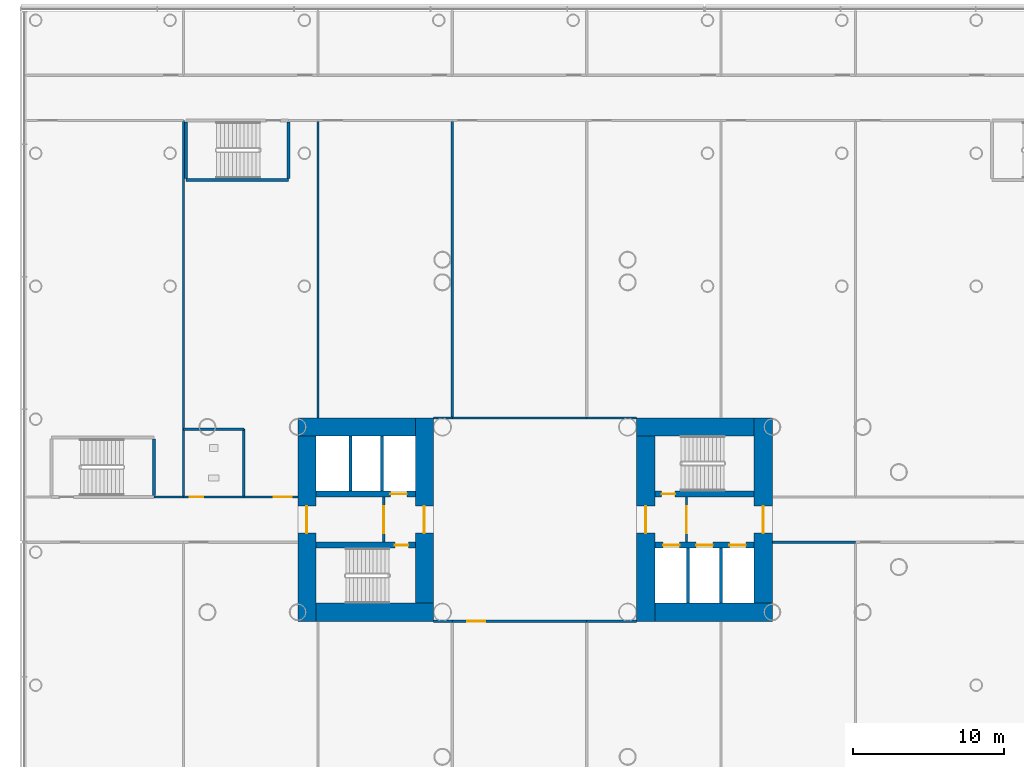
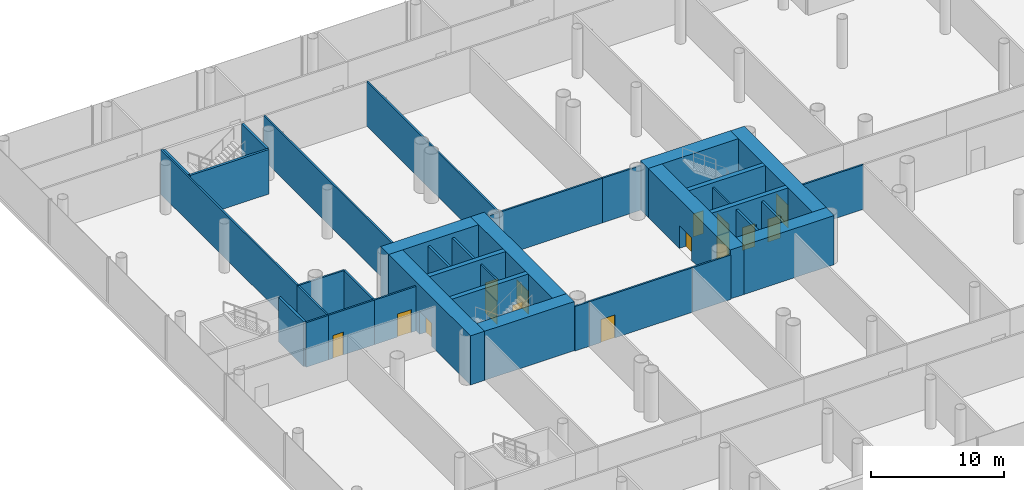
# One storey, part 18 of 49: 38 walls, 15 doors, 15 openings.
"""IFC4 building model written with IfcOpenShell, lengths in metres."""

import ifcopenshell
import ifcopenshell.guid

model = None  # the IFC model being written
_history = None  # IfcOwnerHistory: only IFC2X3 demands one
_inside = {}  # id of a spatial element -> (the spatial element, [elements in it])
_under = {}  # id of a project, library or spatial element -> (it, [spatial elements below it])
_declared = {}  # id of a project -> (the project, [libraries it declares])
_typed = {}  # id of a type object -> (the type object, [elements of that type])
_made_of = {}  # id of a material, layer set ... -> (it, [elements and type objects made of it])


def new_model(schema):
    """Start an empty IFC model of exactly this schema.

    Asked for "IFC4X3", IfcOpenShell would pick the latest addendum, in which some entities
    have other attributes; the version numbers below select the first issue.
    IFC2X3 requires an IfcOwnerHistory on every rooted entity: one is made here for all.
    """
    global model, _history
    if schema == "IFC4X3":
        model = ifcopenshell.file(schema_version=(4, 3, 0, 0))
    else:
        model = ifcopenshell.file(schema=schema)
    _inside.clear()
    _under.clear()
    _declared.clear()
    _typed.clear()
    _made_of.clear()
    _history = None
    if model.schema == "IFC2X3":
        org = make("IfcOrganization", Name="unknown")
        user = make(
            "IfcPersonAndOrganization",
            ThePerson=make("IfcPerson", FamilyName="unknown"),
            TheOrganization=org,
        )
        app = make(
            "IfcApplication",
            ApplicationDeveloper=org,
            Version="unknown",
            ApplicationFullName="unknown",
            ApplicationIdentifier="unknown",
        )
        _history = make(
            "IfcOwnerHistory",
            OwningUser=user,
            OwningApplication=app,
            ChangeAction="ADDED",
            CreationDate=0,
        )
    return model


def make(cls, **values):
    """One entity of the class cls with the attributes given. An attribute that is None is left unset."""
    return model.create_entity(
        cls, **{name: value for name, value in values.items() if value is not None}
    )


def rooted(cls, **values):
    """An entity with a GlobalId (a new one), such as an element, a storey or a relation."""
    return make(cls, GlobalId=ifcopenshell.guid.new(), OwnerHistory=_history, **values)


def si_unit(unit_type, name, prefix=None):
    """IfcSIUnit, for example si_unit("LENGTHUNIT", "METRE", prefix="MILLI")."""
    return make("IfcSIUnit", UnitType=unit_type, Prefix=prefix, Name=name)


def assignment(units):
    """IfcUnitAssignment: the units of a project."""
    return None if units is None else make("IfcUnitAssignment", Units=units)


def point(xyz):
    """IfcCartesianPoint."""
    return None if xyz is None else make("IfcCartesianPoint", Coordinates=xyz)


def direction(xyz):
    """IfcDirection."""
    return None if xyz is None else make("IfcDirection", DirectionRatios=xyz)


def frame(location, z_axis=None, x_axis=None):
    """IfcAxis2Placement3D, a coordinate frame: its origin and axes. An axis left out is left unset."""
    return make(
        "IfcAxis2Placement3D",
        Location=point(location),
        Axis=direction(z_axis),
        RefDirection=direction(x_axis),
    )


def frame_2d(location, x_axis=None):
    """IfcAxis2Placement2D, a coordinate frame in the plane: its origin and x axis."""
    return make(
        "IfcAxis2Placement2D", Location=point(location), RefDirection=direction(x_axis)
    )


def origin():
    """The frame at (0, 0, 0) with its axes left unset."""
    return frame((0.0, 0.0, 0.0))


def place(relative_to, where):
    """IfcLocalPlacement: puts the frame where relative to a parent placement (None: the world)."""
    return make(
        "IfcLocalPlacement", PlacementRelTo=relative_to, RelativePlacement=where
    )


def context(
    kind, dimensions, precision=None, world=None, true_north=None, identifier=None
):
    """IfcGeometricRepresentationContext, for example the 3D "Model" context."""
    return make(
        "IfcGeometricRepresentationContext",
        ContextIdentifier=identifier,
        ContextType=kind,
        CoordinateSpaceDimension=dimensions,
        Precision=precision,
        WorldCoordinateSystem=world,
        TrueNorth=true_north,
    )


def subcontext(parent, identifier, kind, view, scale=None):
    """IfcGeometricRepresentationSubContext, for example "Body" below "Model"."""
    return make(
        "IfcGeometricRepresentationSubContext",
        ContextIdentifier=identifier,
        ContextType=kind,
        ParentContext=parent,
        TargetScale=scale,
        TargetView=view,
    )


def project(units=None, contexts=None):
    """IfcProject with its units and contexts."""
    return rooted(
        "IfcProject",
        Name="project",
        RepresentationContexts=contexts,
        UnitsInContext=assignment(units),
    )


def spatial(cls, under=None, at=None, **own):
    """A site, building, storey or space (cls), placed at a placement, below another one or the project."""
    s = rooted(cls, ObjectPlacement=at, **own)
    if under is not None:
        _under.setdefault(under.id(), (under, []))[1].append(s)
    return s


def profile(cls, at=None, kind="AREA", **sizes):
    """A parametric profile (cls). Its sizes go by their IFC names, for example OverallWidth=200.0."""
    return make(cls, ProfileType=kind, Position=at, **sizes)


def rectangle(**sizes):
    """IfcRectangleProfileDef."""
    return profile("IfcRectangleProfileDef", **sizes)


def extrude(swept, where, along, depth):
    """IfcExtrudedAreaSolid: the profile swept, set in the frame where, extruded along a direction by depth."""
    return make(
        "IfcExtrudedAreaSolid",
        SweptArea=swept,
        Position=where,
        ExtrudedDirection=direction(along),
        Depth=depth,
    )


def shape(context_of_items, identifier, shape_type, items):
    """IfcShapeRepresentation: the items that make up one representation, for example the "Body"."""
    return make(
        "IfcShapeRepresentation",
        ContextOfItems=context_of_items,
        RepresentationIdentifier=identifier,
        RepresentationType=shape_type,
        Items=items,
    )


def material(Name=None, Category=None):
    """IfcMaterial."""
    return make("IfcMaterial", Name=Name, Category=Category)


def layer(
    of_material, thickness, ventilated=None, Name=None, Category=None, Priority=None
):
    """IfcMaterialLayer: one layer of a wall or slab, of a material (None: an air gap)."""
    return make(
        "IfcMaterialLayer",
        Material=of_material,
        LayerThickness=thickness,
        IsVentilated=ventilated,
        Name=Name,
        Category=Category,
        Priority=Priority,
    )


def layer_set(layers, Name=None):
    """IfcMaterialLayerSet."""
    return make("IfcMaterialLayerSet", MaterialLayers=layers, LayerSetName=Name)


def made_of(thing, what):
    """Note that an element or type object is made of a material, layer set ...; save() writes the relation."""
    if what is not None:
        _made_of.setdefault(what.id(), (what, []))[1].append(thing)
    return thing


def type_object(cls, material=None, **own):
    """A type object (cls), such as IfcWallType, which elements share."""
    return made_of(rooted(cls, **own), material)


def element(
    cls,
    number,
    at=None,
    inside=None,
    cuts=None,
    type_object=None,
    material=None,
    context=None,
    identifier="Body",
    shape_type=None,
    held_by="IfcProductDefinitionShape",
    body=None,
    shapes=None,
    **own,
):
    """One element of the class cls, such as IfcWall. Its Tag is "e" and its number.

    at: its placement. inside: the storey or other place that contains it. cuts: it is an
    opening in that element (IfcRelVoidsElement). A single representation is given by context,
    identifier, shape_type and body (its items); several are given by shapes. held_by: the class
    of the entity that holds the representations. save() writes the other relations.
    """
    e = rooted(cls, Tag="e%d" % number, ObjectPlacement=at, **own)
    if body is not None:
        shapes = [shape(context, identifier, shape_type, body)]
    if shapes is not None:
        e.Representation = make(held_by, Representations=shapes)
    if inside is not None:
        _inside.setdefault(inside.id(), (inside, []))[1].append(e)
    if cuts is not None:
        rooted(
            "IfcRelVoidsElement", RelatingBuildingElement=cuts, RelatedOpeningElement=e
        )
    if type_object is not None:
        _typed.setdefault(type_object.id(), (type_object, []))[1].append(e)
    return made_of(e, material)


def fill(opening, filler):
    """IfcRelFillsElement: the door or window that sits in an opening."""
    return rooted(
        "IfcRelFillsElement",
        RelatingOpeningElement=opening,
        RelatedBuildingElement=filler,
    )


def aggregate(whole, parts):
    """IfcRelAggregates: a whole, such as a stair, and the parts it consists of."""
    return rooted("IfcRelAggregates", RelatingObject=whole, RelatedObjects=parts)


def save(model, path):
    """Write the relations noted so far, then the file.

    IfcRelAggregates (storeys below a building ...), IfcRelContainedInSpatialStructure (elements
    in a storey), IfcRelDefinesByType, IfcRelAssociatesMaterial and IfcRelDeclares: one each for
    every whole, place, type object, material and project.
    """
    for whole, parts in _under.values():
        aggregate(whole, parts)
    for where, things in _inside.values():
        rooted(
            "IfcRelContainedInSpatialStructure",
            RelatedElements=things,
            RelatingStructure=where,
        )
    for kind, things in _typed.values():
        rooted("IfcRelDefinesByType", RelatedObjects=things, RelatingType=kind)
    for what, things in _made_of.values():
        rooted("IfcRelAssociatesMaterial", RelatedObjects=things, RelatingMaterial=what)
    for by, libraries in _declared.values():
        rooted("IfcRelDeclares", RelatingContext=by, RelatedDefinitions=libraries)
    model.write(path)


model = new_model("IFC4")

# Units and contexts
model_context = context("Model", 3, precision=1e-05, world=origin(), true_north=direction((0.0, 1.0)))
body_context = subcontext(model_context, "Body", "Model", "MODEL_VIEW")
ifc_project = project(units=[si_unit("LENGTHUNIT", "METRE"), si_unit("AREAUNIT", "SQUARE_METRE"), si_unit("VOLUMEUNIT", "CUBIC_METRE"), si_unit("PLANEANGLEUNIT", "RADIAN"), si_unit("MASSUNIT", "GRAM", prefix="KILO")], contexts=[model_context])

# Site, building, storey
site_placement = place(None, origin())
site = spatial("IfcSite", under=ifc_project, at=site_placement, CompositionType="ELEMENT")
building_placement = place(site_placement, origin())
building = spatial("IfcBuilding", under=site, at=building_placement, Name="Ipe Terrace Towers", CompositionType="ELEMENT")
storey_placement = place(building_placement, frame((0.0, 0.0, 11.0)))
storey = spatial("IfcBuildingStorey", under=building, at=storey_placement, Name="L02", CompositionType="ELEMENT", Elevation=11.0)

# Wall, opening, door
ifc_material_1 = material(Name="Gypsum board partition", Category="plasterboard")
ifc_layer_1 = layer(ifc_material_1, 0.14990234375)
ifc_layer_set_1 = layer_set([ifc_layer_1], Name="Gypsum board partition 150 mm")
wall_type_1 = type_object("IfcWallType", Name="Gypsum board partition 150 mm", PredefinedType="PARTITIONING", material=ifc_layer_set_1)
wall_1_placement = place(storey_placement, frame((-25.949951171875, -1.5, 0.0), z_axis=(0.0, 0.0, 1.0), x_axis=(0.0, 1.0, 0.0)))
wall_1 = element("IfcWall", 1, at=wall_1_placement, inside=storey, type_object=wall_type_1, Name="Gypsum board partition T1 L02 t1c1-lobby-wall", PredefinedType="PARTITIONING", context=body_context, shape_type="SweptSolid", body=[
    extrude(rectangle(XDim=3.0, YDim=0.14990234375, at=frame_2d((1.5, 0.0))), origin(), (0.0, 0.0, 1.0), 4.080078125),
])
opening_1_placement = place(wall_1_placement, frame((0.60009765625, 0.0, 0.0)))
opening_1 = element("IfcOpeningElement", 2, at=opening_1_placement, cuts=wall_1, Name="Opening T1C1-VD", PredefinedType="OPENING", context=body_context, shape_type="SweptSolid", body=[
    extrude(rectangle(XDim=1.800048828125, YDim=2.10009765625, at=frame_2d((0.89990234375, 1.050048828125))), frame((0.0, 0.0849609375, 0.0), z_axis=(0.0, -1.0, 0.0), x_axis=(1.0, 0.0, 0.0)), (0.0, 0.0, 1.0), 0.169921875),
])
ifc_material_2 = material(Name="Fire-rated timber door leaf", Category="wood")
door_type_1 = type_object("IfcDoorType", Name="Lobby door 1800 x 2100 FD60", OperationType="NOTDEFINED", PredefinedType="DOOR", material=ifc_material_2)
door_1_placement = place(opening_1_placement, origin())
door_1 = element("IfcDoor", 3, at=door_1_placement, inside=storey, type_object=door_type_1, Name="Lobby door T1C1-VD", OperationType="SINGLE_SWING_LEFT", OverallHeight=2.10009765625, OverallWidth=1.800048828125, PredefinedType="DOOR", context=body_context, shape_type="SweptSolid", body=[
    extrude(rectangle(XDim=1.800048828125, YDim=2.10009765625, at=frame_2d((0.89990234375, 1.050048828125))), frame((0.0, 0.02490234375, 0.0), z_axis=(0.0, -1.0, 0.0), x_axis=(1.0, 0.0, 0.0)), (0.0, 0.0, 1.0), 0.050048828125),
])
fill(opening_1, door_1)

wall_2_placement = place(storey_placement, frame((-46.050048828125, 1.5, 0.0), z_axis=(0.0, 0.0, 1.0), x_axis=(0.0, -1.0, 0.0)))
wall_2 = element("IfcWall", 4, at=wall_2_placement, inside=storey, type_object=wall_type_1, Name="Gypsum board partition T1 L02 t1c2-lobby-wall", PredefinedType="PARTITIONING", context=body_context, shape_type="SweptSolid", body=[
    extrude(rectangle(XDim=3.0, YDim=0.14990234375, at=frame_2d((1.5, 0.0))), origin(), (0.0, 0.0, 1.0), 4.080078125),
])
opening_2_placement = place(wall_2_placement, frame((0.60009765625, 0.0, 0.0)))
opening_2 = element("IfcOpeningElement", 5, at=opening_2_placement, cuts=wall_2, Name="Opening T1C2-VD", PredefinedType="OPENING", context=body_context, shape_type="SweptSolid", body=[
    extrude(rectangle(XDim=1.800048828125, YDim=2.10009765625, at=frame_2d((0.89990234375, 1.050048828125))), frame((0.0, 0.0849609375, 0.0), z_axis=(0.0, -1.0, 0.0), x_axis=(1.0, 0.0, 0.0)), (0.0, 0.0, 1.0), 0.169921875),
])
door_2_placement = place(opening_2_placement, origin())
door_2 = element("IfcDoor", 6, at=door_2_placement, inside=storey, type_object=door_type_1, Name="Lobby door T1C2-VD", OperationType="SINGLE_SWING_LEFT", OverallHeight=2.10009765625, OverallWidth=1.800048828125, PredefinedType="DOOR", context=body_context, shape_type="SweptSolid", body=[
    extrude(rectangle(XDim=1.800048828125, YDim=2.10009765625, at=frame_2d((0.89990234375, 1.050048828125))), frame((0.0, 0.02490234375, 0.0), z_axis=(0.0, -1.0, 0.0), x_axis=(1.0, 0.0, 0.0)), (0.0, 0.0, 1.0), 0.050048828125),
])
fill(opening_2, door_2)

# Walls
wall_3_placement = place(storey_placement, frame((-59.330078125, 1.5, 0.0), z_axis=(0.0, 0.0, 1.0), x_axis=(-1.0, 0.0, 0.0)))
element("IfcWall", 7, at=wall_3_placement, inside=storey, type_object=wall_type_1, Name="Gypsum board partition T1 L02 pd-r2-w5", PredefinedType="PARTITIONING", context=body_context, shape_type="SweptSolid", body=[
    extrude(rectangle(XDim=1.9599609375, YDim=0.14990234375, at=frame_2d((0.97998046875, 0.0))), origin(), (0.0, 0.0, 1.0), 4.080078125),
])
wall_4_placement = place(storey_placement, frame((-59.330078125, 26.5, 0.0), z_axis=(0.0, 0.0, 1.0), x_axis=(0.0, -1.0, 0.0)))
element("IfcWall", 8, at=wall_4_placement, inside=storey, type_object=wall_type_1, Name="Gypsum board partition T1 L02 pd-r2-r7-w8", PredefinedType="PARTITIONING", context=body_context, shape_type="SweptSolid", body=[
    extrude(rectangle(XDim=20.5, YDim=0.14990234375, at=frame_2d((10.25, 0.0))), origin(), (0.0, 0.0, 1.0), 4.080078125),
])

# Wall, opening, door
wall_5_placement = place(storey_placement, frame((-51.75, 1.5, 0.0), z_axis=(0.0, 0.0, 1.0), x_axis=(-1.0, 0.0, 0.0)))
wall_5 = element("IfcWall", 9, at=wall_5_placement, inside=storey, type_object=wall_type_1, Name="Gypsum board partition T1 L02 pd-r7-w17", PredefinedType="PARTITIONING", context=body_context, shape_type="SweptSolid", body=[
    extrude(rectangle(XDim=3.580078125, YDim=0.14990234375, at=frame_2d((1.7900390625, 0.0))), origin(), (0.0, 0.0, 1.0), 4.080078125),
])
opening_3_placement = place(wall_5_placement, frame((0.39990234375, 0.0, 0.0)))
opening_3 = element("IfcOpeningElement", 10, at=opening_3_placement, cuts=wall_5, Name="Opening PD-L02-r7", PredefinedType="OPENING", context=body_context, shape_type="SweptSolid", body=[
    extrude(rectangle(XDim=1.199951171875, YDim=2.10009765625, at=frame_2d((0.60009765625, 1.050048828125))), frame((0.0, 0.0849609375, 0.0), z_axis=(0.0, -1.0, 0.0), x_axis=(1.0, 0.0, 0.0)), (0.0, 0.0, 1.0), 0.169921875),
])
ifc_material_3 = material(Name="Fire-rated timber door leaf", Category="wood")
door_type_2 = type_object("IfcDoorType", Name="Lounge door 1200 x 2100 FD30S", OperationType="NOTDEFINED", PredefinedType="DOOR", material=ifc_material_3)
door_3_placement = place(opening_3_placement, origin())
door_3 = element("IfcDoor", 11, at=door_3_placement, inside=storey, type_object=door_type_2, Name="Lounge door PD-L02-r7", OperationType="SINGLE_SWING_RIGHT", OverallHeight=2.10009765625, OverallWidth=1.199951171875, PredefinedType="DOOR", context=body_context, shape_type="SweptSolid", body=[
    extrude(rectangle(XDim=1.199951171875, YDim=2.10009765625, at=frame_2d((0.60009765625, 1.050048828125))), frame((0.0, 0.02490234375, 0.0), z_axis=(0.0, -1.0, 0.0), x_axis=(1.0, 0.0, 0.0)), (0.0, 0.0, 1.0), 0.050048828125),
])
fill(opening_3, door_3)

# Walls
for number, where, z_axis, x_axis, name in (
    (12, (-42.75, -6.75, 0.0), (0.0, 0.0, 1.0), (1.0, 0.0, 0.0), "Gypsum board partition T1 L02 pd-r9-w20"),
    (13, (-41.489990234375, 6.75, 0.0), (0.0, 0.0, 1.0), (-1.0, 0.0, 0.0), "Gypsum board partition T1 L02 pd-r11-w26"),
):
    element("IfcWall", number, at=place(storey_placement, frame(where, z_axis=z_axis, x_axis=x_axis)), inside=storey, type_object=wall_type_1, Name=name, PredefinedType="PARTITIONING", context=body_context, shape_type="SweptSolid", body=[
        extrude(rectangle(XDim=1.260009765625, YDim=0.14990234375, at=frame_2d((0.6298828125, 0.0))), origin(), (0.0, 0.0, 1.0), 4.080078125),
    ])
for number, where, z_axis, x_axis, name in (
    (14, (-50.409912109375, 6.75, 0.0), (0.0, 0.0, 1.0), (0.0, 1.0, 0.0), "Gypsum board partition T1 L02 pd-r11-r7-w27"),
    (15, (-41.489990234375, 26.5, 0.0), (0.0, 0.0, 1.0), (0.0, -1.0, 0.0), "Gypsum board partition T1 L02 pd-r11-r14-w28"),
):
    element("IfcWall", number, at=place(storey_placement, frame(where, z_axis=z_axis, x_axis=x_axis)), inside=storey, type_object=wall_type_1, Name=name, PredefinedType="PARTITIONING", context=body_context, shape_type="SweptSolid", body=[
        extrude(rectangle(XDim=19.75, YDim=0.14990234375, at=frame_2d((9.875, 0.0))), origin(), (0.0, 0.0, 1.0), 4.080078125),
    ])

# Wall, opening, door
wall_6_placement = place(storey_placement, frame((-41.489990234375, -6.75, 0.0), z_axis=(0.0, 0.0, 1.0), x_axis=(1.0, 0.0, 0.0)))
wall_6 = element("IfcWall", 16, at=wall_6_placement, inside=storey, type_object=wall_type_1, Name="Gypsum board partition T1 L02 pd-r13-w32", PredefinedType="PARTITIONING", context=body_context, shape_type="SweptSolid", body=[
    extrude(rectangle(XDim=8.919921875, YDim=0.14990234375, at=frame_2d((4.4599609375, 0.0))), origin(), (0.0, 0.0, 1.0), 4.080078125),
])
opening_4_placement = place(wall_6_placement, frame((1.0, 0.0, 0.0)))
opening_4 = element("IfcOpeningElement", 17, at=opening_4_placement, cuts=wall_6, Name="Opening PD-L02-r13", PredefinedType="OPENING", context=body_context, shape_type="SweptSolid", body=[
    extrude(rectangle(XDim=1.199951171875, YDim=2.10009765625, at=frame_2d((0.60009765625, 1.050048828125))), frame((0.0, 0.0849609375, 0.0), z_axis=(0.0, -1.0, 0.0), x_axis=(1.0, 0.0, 0.0)), (0.0, 0.0, 1.0), 0.169921875),
])
door_4_placement = place(opening_4_placement, origin())
door_4 = element("IfcDoor", 18, at=door_4_placement, inside=storey, type_object=door_type_2, Name="Lounge door PD-L02-r13", OperationType="SINGLE_SWING_RIGHT", OverallHeight=2.10009765625, OverallWidth=1.199951171875, PredefinedType="DOOR", context=body_context, shape_type="SweptSolid", body=[
    extrude(rectangle(XDim=1.199951171875, YDim=2.10009765625, at=frame_2d((0.60009765625, 1.050048828125))), frame((0.0, 0.02490234375, 0.0), z_axis=(0.0, -1.0, 0.0), x_axis=(1.0, 0.0, 0.0)), (0.0, 0.0, 1.0), 0.050048828125),
])
fill(opening_4, door_4)

# Walls
wall_7_placement = place(storey_placement, frame((-32.570068359375, 6.75, 0.0), z_axis=(0.0, 0.0, 1.0), x_axis=(-1.0, 0.0, 0.0)))
element("IfcWall", 19, at=wall_7_placement, inside=storey, type_object=wall_type_1, Name="Gypsum board partition T1 L02 pd-r14-w37", PredefinedType="PARTITIONING", context=body_context, shape_type="SweptSolid", body=[
    extrude(rectangle(XDim=8.919921875, YDim=0.14990234375, at=frame_2d((4.4599609375, 0.0))), origin(), (0.0, 0.0, 1.0), 4.080078125),
])
for number, where, z_axis, x_axis, name in (
    (20, (-32.570068359375, -6.75, 0.0), (0.0, 0.0, 1.0), (1.0, 0.0, 0.0), "Gypsum board partition T1 L02 pd-r17-w43"),
    (21, (-29.25, 6.75, 0.0), (0.0, 0.0, 1.0), (-1.0, 0.0, 0.0), "Gypsum board partition T1 L02 pd-r18-w46"),
):
    element("IfcWall", number, at=place(storey_placement, frame(where, z_axis=z_axis, x_axis=x_axis)), inside=storey, type_object=wall_type_1, Name=name, PredefinedType="PARTITIONING", context=body_context, shape_type="SweptSolid", body=[
        extrude(rectangle(XDim=3.320068359375, YDim=0.14990234375, at=frame_2d((1.66015625, 0.0))), origin(), (0.0, 0.0, 1.0), 4.080078125),
    ])
wall_8_placement = place(storey_placement, frame((-20.25, -1.5, 0.0), z_axis=(0.0, 0.0, 1.0), x_axis=(1.0, 0.0, 0.0)))
element("IfcWall", 22, at=wall_8_placement, inside=storey, type_object=wall_type_1, Name="Gypsum board partition T1 L02 pd-r22-w55", PredefinedType="PARTITIONING", context=body_context, shape_type="SweptSolid", body=[
    extrude(rectangle(XDim=5.52001953125, YDim=0.14990234375, at=frame_2d((2.760009765625, 0.0))), origin(), (0.0, 0.0, 1.0), 4.080078125),
])

# Wall, opening, door
wall_9_placement = place(storey_placement, frame((-59.330078125, 1.5, 0.0), z_axis=(0.0, 0.0, 1.0), x_axis=(1.0, 0.0, 0.0)))
wall_9 = element("IfcWall", 23, at=wall_9_placement, inside=storey, type_object=wall_type_1, Name="Gypsum board partition T1 L02 pd-c0-w67", PredefinedType="PARTITIONING", context=body_context, shape_type="SweptSolid", body=[
    extrude(rectangle(XDim=4.0, YDim=0.14990234375, at=frame_2d((2.0, 0.0))), origin(), (0.0, 0.0, 1.0), 4.080078125),
])
opening_5_placement = place(wall_9_placement, frame((0.39990234375, 0.0, 0.0)))
opening_5 = element("IfcOpeningElement", 24, at=opening_5_placement, cuts=wall_9, Name="Opening PD-L02-c0", PredefinedType="OPENING", context=body_context, shape_type="SweptSolid", body=[
    extrude(rectangle(XDim=0.89990234375, YDim=2.10009765625, at=frame_2d((0.449951171875, 1.050048828125))), frame((0.0, 0.0849609375, 0.0), z_axis=(0.0, -1.0, 0.0), x_axis=(1.0, 0.0, 0.0)), (0.0, 0.0, 1.0), 0.169921875),
])
ifc_material_4 = material(Name="Fire-rated timber door leaf", Category="wood")
door_type_3 = type_object("IfcDoorType", Name="Lounge door 900 x 2100 FD30S", OperationType="NOTDEFINED", PredefinedType="DOOR", material=ifc_material_4)
door_5_placement = place(opening_5_placement, origin())
door_5 = element("IfcDoor", 25, at=door_5_placement, inside=storey, type_object=door_type_3, Name="Lounge door PD-L02-c0", OperationType="SINGLE_SWING_LEFT", OverallHeight=2.10009765625, OverallWidth=0.89990234375, PredefinedType="DOOR", context=body_context, shape_type="SweptSolid", body=[
    extrude(rectangle(XDim=0.89990234375, YDim=2.10009765625, at=frame_2d((0.449951171875, 1.050048828125))), frame((0.0, 0.02490234375, 0.0), z_axis=(0.0, -1.0, 0.0), x_axis=(1.0, 0.0, 0.0)), (0.0, 0.0, 1.0), 0.050048828125),
])
fill(opening_5, door_5)

# Walls
for number, where, z_axis, x_axis, name in (
    (26, (-59.330078125, 6.0, 0.0), (0.0, 0.0, 1.0), (0.0, -1.0, 0.0), "Gypsum board partition T1 L02 pd-c0-r2-w68"),
    (27, (-55.330078125, 1.5, 0.0), (0.0, 0.0, 1.0), (0.0, 1.0, 0.0), "Gypsum board partition T1 L02 pd-c0-r7-w69"),
):
    element("IfcWall", number, at=place(storey_placement, frame(where, z_axis=z_axis, x_axis=x_axis)), inside=storey, type_object=wall_type_1, Name=name, PredefinedType="PARTITIONING", context=body_context, shape_type="SweptSolid", body=[
        extrude(rectangle(XDim=4.5, YDim=0.14990234375, at=frame_2d((2.25, 0.0))), origin(), (0.0, 0.0, 1.0), 4.080078125),
    ])
wall_10_placement = place(storey_placement, frame((-55.330078125, 6.0, 0.0), z_axis=(0.0, 0.0, 1.0), x_axis=(-1.0, 0.0, 0.0)))
element("IfcWall", 28, at=wall_10_placement, inside=storey, type_object=wall_type_1, Name="Gypsum board partition T1 L02 pd-c0-r7-w70", PredefinedType="PARTITIONING", context=body_context, shape_type="SweptSolid", body=[
    extrude(rectangle(XDim=4.0, YDim=0.14990234375, at=frame_2d((2.0, 0.0))), origin(), (0.0, 0.0, 1.0), 4.080078125),
])
ifc_material_5 = material(Name="Gypsum board party wall", Category="plasterboard")
ifc_layer_2 = layer(ifc_material_5, 0.199951171875)
ifc_layer_set_2 = layer_set([ifc_layer_2], Name="Gypsum board party wall 200 mm")
wall_type_2 = type_object("IfcWallType", Name="Gypsum board party wall 200 mm", PredefinedType="SOLIDWALL", material=ifc_layer_set_2)
for number, where, z_axis, x_axis, name in (
    (29, (-25.85009765625, -5.550048828125, 0.0), (0.0, 0.0, 1.0), (0.0, 1.0, 0.0), "Gypsum board party wall T1 L02 t1c1-shaft-div1"),
    (30, (-23.64990234375, -5.550048828125, 0.0), (0.0, 0.0, 1.0), (0.0, 1.0, 0.0), "Gypsum board party wall T1 L02 t1c1-shaft-div2"),
    (31, (-46.14990234375, 5.550048828125, 0.0), (0.0, 0.0, 1.0), (0.0, -1.0, 0.0), "Gypsum board party wall T1 L02 t1c2-shaft-div1"),
    (32, (-48.25, 5.550048828125, 0.0), (0.0, 0.0, 1.0), (0.0, -1.0, 0.0), "Gypsum board party wall T1 L02 t1c2-shaft-div2"),
):
    element("IfcWall", number, at=place(storey_placement, frame(where, z_axis=z_axis, x_axis=x_axis)), inside=storey, type_object=wall_type_2, Name=name, PredefinedType="SOLIDWALL", context=body_context, shape_type="SweptSolid", body=[
        extrude(rectangle(XDim=3.650146484375, YDim=0.199951171875, at=frame_2d((1.8251953125, 0.0))), origin(), (0.0, 0.0, 1.0), 4.080078125),
    ])
ifc_material_6 = material(Name="Concrete C60/75", Category="concrete")
ifc_layer_3 = layer(ifc_material_6, 1.199951171875)
ifc_layer_set_3 = layer_set([ifc_layer_3], Name="RW1200 CORE WALL 1200 C60-75")
wall_type_3 = type_object("IfcWallType", Name="RW1200 CORE WALL 1200 C60-75", PredefinedType="SHEAR", material=ifc_layer_set_3)
wall_11_placement = place(storey_placement, frame((-28.050048828125, -6.14990234375, 0.0), z_axis=(0.0, 0.0, 1.0), x_axis=(1.0, 0.0, 0.0)))
element("IfcWall", 33, at=wall_11_placement, inside=storey, type_object=wall_type_3, Name="Core wall T1-C1-P-W01", PredefinedType="SHEAR", context=body_context, shape_type="SweptSolid", body=[
    extrude(rectangle(XDim=7.800048828125, YDim=1.199951171875, at=frame_2d((3.89990234375, 0.0))), origin(), (0.0, 0.0, 1.0), 4.5),
])

# Wall, opening, door
wall_12_placement = place(storey_placement, frame((-20.85009765625, -5.550048828125, 0.0), z_axis=(0.0, 0.0, 1.0), x_axis=(0.0, 1.0, 0.0)))
wall_12 = element("IfcWall", 34, at=wall_12_placement, inside=storey, type_object=wall_type_3, Name="Core wall T1-C1-P-W02", PredefinedType="SHEAR", context=body_context, shape_type="SweptSolid", body=[
    extrude(rectangle(XDim=12.300048828125, YDim=1.199951171875, at=frame_2d((6.14990234375, 0.0))), origin(), (0.0, 0.0, 1.0), 4.5),
])
opening_6_placement = place(wall_12_placement, frame((4.64990234375, 0.0, 0.0)))
opening_6 = element("IfcOpeningElement", 35, at=opening_6_placement, cuts=wall_12, Name="Opening T1C1-FD", PredefinedType="OPENING", context=body_context, shape_type="SweptSolid", body=[
    extrude(rectangle(XDim=1.800048828125, YDim=2.10009765625, at=frame_2d((0.89990234375, 1.050048828125))), frame((0.0, 0.60986328125, 0.0), z_axis=(0.0, -1.0, 0.0), x_axis=(1.0, 0.0, 0.0)), (0.0, 0.0, 1.0), 1.219970703125),
])
ifc_material_7 = material(Name="Fire-rated timber door leaf", Category="wood")
door_type_4 = type_object("IfcDoorType", Name="Fire door 1800 x 2100 FD30S", OperationType="NOTDEFINED", PredefinedType="DOOR", material=ifc_material_7)
door_6_placement = place(opening_6_placement, origin())
door_6 = element("IfcDoor", 36, at=door_6_placement, inside=storey, type_object=door_type_4, Name="Fire door T1C1-FD", OperationType="SINGLE_SWING_LEFT", OverallHeight=2.10009765625, OverallWidth=1.800048828125, PredefinedType="DOOR", context=body_context, shape_type="SweptSolid", body=[
    extrude(rectangle(XDim=1.800048828125, YDim=2.10009765625, at=frame_2d((0.89990234375, 1.050048828125))), frame((0.0, 0.02490234375, 0.0), z_axis=(0.0, -1.0, 0.0), x_axis=(1.0, 0.0, 0.0)), (0.0, 0.0, 1.0), 0.050048828125),
])
fill(opening_6, door_6)

# Wall
wall_13_placement = place(storey_placement, frame((-21.449951171875, 6.14990234375, 0.0), z_axis=(0.0, 0.0, 1.0), x_axis=(-1.0, 0.0, 0.0)))
element("IfcWall", 37, at=wall_13_placement, inside=storey, type_object=wall_type_3, Name="Core wall T1-C1-P-W03", PredefinedType="SHEAR", context=body_context, shape_type="SweptSolid", body=[
    extrude(rectangle(XDim=7.800048828125, YDim=1.199951171875, at=frame_2d((3.89990234375, 0.0))), origin(), (0.0, 0.0, 1.0), 4.5),
])

# Wall, opening, door
wall_14_placement = place(storey_placement, frame((-28.64990234375, 5.550048828125, 0.0), z_axis=(0.0, 0.0, 1.0), x_axis=(0.0, -1.0, 0.0)))
wall_14 = element("IfcWall", 38, at=wall_14_placement, inside=storey, type_object=wall_type_3, Name="Core wall T1-C1-P-W04", PredefinedType="SHEAR", context=body_context, shape_type="SweptSolid", body=[
    extrude(rectangle(XDim=12.300048828125, YDim=1.199951171875, at=frame_2d((6.14990234375, 0.0))), origin(), (0.0, 0.0, 1.0), 4.5),
])
opening_7_placement = place(wall_14_placement, frame((4.64990234375, 0.0, 0.0)))
opening_7 = element("IfcOpeningElement", 39, at=opening_7_placement, cuts=wall_14, Name="Opening T1C1-ND", PredefinedType="OPENING", context=body_context, shape_type="SweptSolid", body=[
    extrude(rectangle(XDim=1.800048828125, YDim=2.10009765625, at=frame_2d((0.89990234375, 1.050048828125))), frame((0.0, 0.60986328125, 0.0), z_axis=(0.0, -1.0, 0.0), x_axis=(1.0, 0.0, 0.0)), (0.0, 0.0, 1.0), 1.219970703125),
])
door_7_placement = place(opening_7_placement, origin())
door_7 = element("IfcDoor", 40, at=door_7_placement, inside=storey, type_object=door_type_4, Name="Fire door T1C1-ND", OperationType="SINGLE_SWING_LEFT", OverallHeight=2.10009765625, OverallWidth=1.800048828125, PredefinedType="DOOR", context=body_context, shape_type="SweptSolid", body=[
    extrude(rectangle(XDim=1.800048828125, YDim=2.10009765625, at=frame_2d((0.89990234375, 1.050048828125))), frame((0.0, 0.02490234375, 0.0), z_axis=(0.0, -1.0, 0.0), x_axis=(1.0, 0.0, 0.0)), (0.0, 0.0, 1.0), 0.050048828125),
])
fill(opening_7, door_7)

# Wall
wall_15_placement = place(storey_placement, frame((-50.550048828125, -6.14990234375, 0.0), z_axis=(0.0, 0.0, 1.0), x_axis=(1.0, 0.0, 0.0)))
element("IfcWall", 41, at=wall_15_placement, inside=storey, type_object=wall_type_3, Name="Core wall T1-C2-P-W01", PredefinedType="SHEAR", context=body_context, shape_type="SweptSolid", body=[
    extrude(rectangle(XDim=7.800048828125, YDim=1.199951171875, at=frame_2d((3.89990234375, 0.0))), origin(), (0.0, 0.0, 1.0), 4.5),
])

# Wall, opening, door
wall_16_placement = place(storey_placement, frame((-43.35009765625, -5.550048828125, 0.0), z_axis=(0.0, 0.0, 1.0), x_axis=(0.0, 1.0, 0.0)))
wall_16 = element("IfcWall", 42, at=wall_16_placement, inside=storey, type_object=wall_type_3, Name="Core wall T1-C2-P-W02", PredefinedType="SHEAR", context=body_context, shape_type="SweptSolid", body=[
    extrude(rectangle(XDim=12.300048828125, YDim=1.199951171875, at=frame_2d((6.14990234375, 0.0))), origin(), (0.0, 0.0, 1.0), 4.5),
])
opening_8_placement = place(wall_16_placement, frame((4.64990234375, 0.0, 0.0)))
opening_8 = element("IfcOpeningElement", 43, at=opening_8_placement, cuts=wall_16, Name="Opening T1C2-ND", PredefinedType="OPENING", context=body_context, shape_type="SweptSolid", body=[
    extrude(rectangle(XDim=1.800048828125, YDim=2.10009765625, at=frame_2d((0.89990234375, 1.050048828125))), frame((0.0, 0.60986328125, 0.0), z_axis=(0.0, -1.0, 0.0), x_axis=(1.0, 0.0, 0.0)), (0.0, 0.0, 1.0), 1.219970703125),
])
door_8_placement = place(opening_8_placement, origin())
door_8 = element("IfcDoor", 44, at=door_8_placement, inside=storey, type_object=door_type_4, Name="Fire door T1C2-ND", OperationType="SINGLE_SWING_LEFT", OverallHeight=2.10009765625, OverallWidth=1.800048828125, PredefinedType="DOOR", context=body_context, shape_type="SweptSolid", body=[
    extrude(rectangle(XDim=1.800048828125, YDim=2.10009765625, at=frame_2d((0.89990234375, 1.050048828125))), frame((0.0, 0.02490234375, 0.0), z_axis=(0.0, -1.0, 0.0), x_axis=(1.0, 0.0, 0.0)), (0.0, 0.0, 1.0), 0.050048828125),
])
fill(opening_8, door_8)

# Wall
wall_17_placement = place(storey_placement, frame((-43.949951171875, 6.14990234375, 0.0), z_axis=(0.0, 0.0, 1.0), x_axis=(-1.0, 0.0, 0.0)))
element("IfcWall", 45, at=wall_17_placement, inside=storey, type_object=wall_type_3, Name="Core wall T1-C2-P-W03", PredefinedType="SHEAR", context=body_context, shape_type="SweptSolid", body=[
    extrude(rectangle(XDim=7.800048828125, YDim=1.199951171875, at=frame_2d((3.89990234375, 0.0))), origin(), (0.0, 0.0, 1.0), 4.5),
])

# Wall, opening, door
wall_18_placement = place(storey_placement, frame((-51.14990234375, 5.550048828125, 0.0), z_axis=(0.0, 0.0, 1.0), x_axis=(0.0, -1.0, 0.0)))
wall_18 = element("IfcWall", 46, at=wall_18_placement, inside=storey, type_object=wall_type_3, Name="Core wall T1-C2-P-W04", PredefinedType="SHEAR", context=body_context, shape_type="SweptSolid", body=[
    extrude(rectangle(XDim=12.300048828125, YDim=1.199951171875, at=frame_2d((6.14990234375, 0.0))), origin(), (0.0, 0.0, 1.0), 4.5),
])
opening_9_placement = place(wall_18_placement, frame((4.64990234375, 0.0, 0.0)))
opening_9 = element("IfcOpeningElement", 47, at=opening_9_placement, cuts=wall_18, Name="Opening T1C2-FD", PredefinedType="OPENING", context=body_context, shape_type="SweptSolid", body=[
    extrude(rectangle(XDim=1.800048828125, YDim=2.10009765625, at=frame_2d((0.89990234375, 1.050048828125))), frame((0.0, 0.60986328125, 0.0), z_axis=(0.0, -1.0, 0.0), x_axis=(1.0, 0.0, 0.0)), (0.0, 0.0, 1.0), 1.219970703125),
])
door_9_placement = place(opening_9_placement, origin())
door_9 = element("IfcDoor", 48, at=door_9_placement, inside=storey, type_object=door_type_4, Name="Fire door T1C2-FD", OperationType="SINGLE_SWING_LEFT", OverallHeight=2.10009765625, OverallWidth=1.800048828125, PredefinedType="DOOR", context=body_context, shape_type="SweptSolid", body=[
    extrude(rectangle(XDim=1.800048828125, YDim=2.10009765625, at=frame_2d((0.89990234375, 1.050048828125))), frame((0.0, 0.02490234375, 0.0), z_axis=(0.0, -1.0, 0.0), x_axis=(1.0, 0.0, 0.0)), (0.0, 0.0, 1.0), 0.050048828125),
])
fill(opening_9, door_9)

# Walls
ifc_material_8 = material(Name="Concrete C40/50", Category="concrete")
ifc_layer_4 = layer(ifc_material_8, 0.199951171875)
ifc_layer_set_4 = layer_set([ifc_layer_4], Name="RW200 PODIUM STAIR SHAFT WALL 200 C40-50")
wall_type_4 = type_object("IfcWallType", Name="RW200 PODIUM STAIR SHAFT WALL 200 C40-50", PredefinedType="SHEAR", material=ifc_layer_set_4)
wall_19_placement = place(storey_placement, frame((-59.169921875, 22.550048828125, 0.0), z_axis=(0.0, 0.0, 1.0), x_axis=(1.0, 0.0, 0.0)))
element("IfcWall", 49, at=wall_19_placement, inside=storey, type_object=wall_type_4, Name="Stair shaft wall T1 L02 ps1-f", PredefinedType="SHEAR", context=body_context, shape_type="SweptSolid", body=[
    extrude(rectangle(XDim=6.7998046875, YDim=0.199951171875, at=frame_2d((3.39990234375, 0.0))), origin(), (0.0, 0.0, 1.0), 4.080078125),
])
for number, where, z_axis, x_axis, name in (
    (50, (-59.169921875, 22.64990234375, 0.0), (0.0, 0.0, 1.0), (0.0, 1.0, 0.0), "Stair shaft wall T1 L02 ps1-w"),
    (51, (-52.3701171875, 22.64990234375, 0.0), (0.0, 0.0, 1.0), (0.0, 1.0, 0.0), "Stair shaft wall T1 L02 ps1-e"),
    (52, (-61.2900390625, 1.60009765625, 0.0), (0.0, 0.0, 1.0), (0.0, 1.0, 0.0), "Stair shaft wall T1 L02 ps7-e"),
):
    element("IfcWall", number, at=place(storey_placement, frame(where, z_axis=z_axis, x_axis=x_axis)), inside=storey, type_object=wall_type_4, Name=name, PredefinedType="SHEAR", context=body_context, shape_type="SweptSolid", body=[
        extrude(rectangle(XDim=3.75, YDim=0.199951171875, at=frame_2d((1.875, 0.0))), origin(), (0.0, 0.0, 1.0), 4.080078125),
    ])

# Wall, openings, doors
ifc_material_9 = material(Name="Concrete C60/75", Category="concrete")
ifc_layer_5 = layer(ifc_material_9, 0.39990234375)
ifc_layer_set_5 = layer_set([ifc_layer_5], Name="RW400 CORE SPINE WALL 400 C60-75")
wall_type_5 = type_object("IfcWallType", Name="RW400 CORE SPINE WALL 400 C60-75", PredefinedType="SHEAR", material=ifc_layer_set_5)
wall_20_placement = place(storey_placement, frame((-28.050048828125, -1.699951171875, 0.0), z_axis=(0.0, 0.0, 1.0), x_axis=(1.0, 0.0, 0.0)))
wall_20 = element("IfcWall", 53, at=wall_20_placement, inside=storey, type_object=wall_type_5, Name="Core spine wall T1-C1-P-SW1", PredefinedType="SHEAR", context=body_context, shape_type="SweptSolid", body=[
    extrude(rectangle(XDim=6.60009765625, YDim=0.39990234375, at=frame_2d((3.300048828125, 0.0))), origin(), (0.0, 0.0, 1.0), 4.5),
])
opening_10_placement = place(wall_20_placement, frame((0.550048828125, 0.0, 0.0)))
opening_10 = element("IfcOpeningElement", 54, at=opening_10_placement, cuts=wall_20, Name="Opening T1C1-LD1", PredefinedType="OPENING", context=body_context, shape_type="SweptSolid", body=[
    extrude(rectangle(XDim=1.10009765625, YDim=2.10009765625, at=frame_2d((0.550048828125, 1.050048828125))), frame((0.0, 0.2099609375, 0.0), z_axis=(0.0, -1.0, 0.0), x_axis=(1.0, 0.0, 0.0)), (0.0, 0.0, 1.0), 0.419921875),
])
opening_11_placement = place(wall_20_placement, frame((2.75, 0.0, 0.0)))
opening_11 = element("IfcOpeningElement", 55, at=opening_11_placement, cuts=wall_20, Name="Opening T1C1-LD2", PredefinedType="OPENING", context=body_context, shape_type="SweptSolid", body=[
    extrude(rectangle(XDim=1.10009765625, YDim=2.10009765625, at=frame_2d((0.550048828125, 1.050048828125))), frame((0.0, 0.2099609375, 0.0), z_axis=(0.0, -1.0, 0.0), x_axis=(1.0, 0.0, 0.0)), (0.0, 0.0, 1.0), 0.419921875),
])
opening_12_placement = place(wall_20_placement, frame((4.949951171875, 0.0, 0.0)))
opening_12 = element("IfcOpeningElement", 56, at=opening_12_placement, cuts=wall_20, Name="Opening T1C1-LD3", PredefinedType="OPENING", context=body_context, shape_type="SweptSolid", body=[
    extrude(rectangle(XDim=1.10009765625, YDim=2.10009765625, at=frame_2d((0.550048828125, 1.050048828125))), frame((0.0, 0.2099609375, 0.0), z_axis=(0.0, -1.0, 0.0), x_axis=(1.0, 0.0, 0.0)), (0.0, 0.0, 1.0), 0.419921875),
])
ifc_material_10 = material(Name="Fire-rated timber door leaf", Category="wood")
door_type_5 = type_object("IfcDoorType", Name="Sliding door 1100 x 2100 FD60", OperationType="SLIDING_TO_LEFT", PredefinedType="DOOR", material=ifc_material_10)
door_10_placement = place(opening_10_placement, origin())
door_10 = element("IfcDoor", 57, at=door_10_placement, inside=storey, type_object=door_type_5, Name="Sliding door T1C1-LD1", OperationType="SLIDING_TO_LEFT", OverallHeight=2.10009765625, OverallWidth=1.10009765625, PredefinedType="DOOR", context=body_context, shape_type="SweptSolid", body=[
    extrude(rectangle(XDim=1.10009765625, YDim=2.10009765625, at=frame_2d((0.550048828125, 1.050048828125))), frame((0.0, 0.02490234375, 0.0), z_axis=(0.0, -1.0, 0.0), x_axis=(1.0, 0.0, 0.0)), (0.0, 0.0, 1.0), 0.050048828125),
])
fill(opening_10, door_10)
door_11_placement = place(opening_11_placement, origin())
door_11 = element("IfcDoor", 58, at=door_11_placement, inside=storey, type_object=door_type_5, Name="Sliding door T1C1-LD2", OperationType="SLIDING_TO_LEFT", OverallHeight=2.10009765625, OverallWidth=1.10009765625, PredefinedType="DOOR", context=body_context, shape_type="SweptSolid", body=[
    extrude(rectangle(XDim=1.10009765625, YDim=2.10009765625, at=frame_2d((0.550048828125, 1.050048828125))), frame((0.0, 0.02490234375, 0.0), z_axis=(0.0, -1.0, 0.0), x_axis=(1.0, 0.0, 0.0)), (0.0, 0.0, 1.0), 0.050048828125),
])
fill(opening_11, door_11)
door_12_placement = place(opening_12_placement, origin())
door_12 = element("IfcDoor", 59, at=door_12_placement, inside=storey, type_object=door_type_5, Name="Sliding door T1C1-LD3", OperationType="SLIDING_TO_LEFT", OverallHeight=2.10009765625, OverallWidth=1.10009765625, PredefinedType="DOOR", context=body_context, shape_type="SweptSolid", body=[
    extrude(rectangle(XDim=1.10009765625, YDim=2.10009765625, at=frame_2d((0.550048828125, 1.050048828125))), frame((0.0, 0.02490234375, 0.0), z_axis=(0.0, -1.0, 0.0), x_axis=(1.0, 0.0, 0.0)), (0.0, 0.0, 1.0), 0.050048828125),
])
fill(opening_12, door_12)

# Wall, opening, door
wall_21_placement = place(storey_placement, frame((-28.050048828125, 1.699951171875, 0.0), z_axis=(0.0, 0.0, 1.0), x_axis=(1.0, 0.0, 0.0)))
wall_21 = element("IfcWall", 60, at=wall_21_placement, inside=storey, type_object=wall_type_5, Name="Core spine wall T1-C1-P-SW2", PredefinedType="SHEAR", context=body_context, shape_type="SweptSolid", body=[
    extrude(rectangle(XDim=6.60009765625, YDim=0.39990234375, at=frame_2d((3.300048828125, 0.0))), origin(), (0.0, 0.0, 1.0), 4.5),
])
opening_13_placement = place(wall_21_placement, frame((0.449951171875, 0.0, 0.0)))
opening_13 = element("IfcOpeningElement", 61, at=opening_13_placement, cuts=wall_21, Name="Opening T1C1-SD", PredefinedType="OPENING", context=body_context, shape_type="SweptSolid", body=[
    extrude(rectangle(XDim=0.89990234375, YDim=2.10009765625, at=frame_2d((0.449951171875, 1.050048828125))), frame((0.0, 0.2099609375, 0.0), z_axis=(0.0, -1.0, 0.0), x_axis=(1.0, 0.0, 0.0)), (0.0, 0.0, 1.0), 0.419921875),
])
ifc_material_11 = material(Name="Fire-rated timber door leaf", Category="wood")
door_type_6 = type_object("IfcDoorType", Name="Stair door 900 x 2100 FD60", OperationType="NOTDEFINED", PredefinedType="DOOR", material=ifc_material_11)
door_13_placement = place(opening_13_placement, origin())
door_13 = element("IfcDoor", 62, at=door_13_placement, inside=storey, type_object=door_type_6, Name="Stair door T1C1-SD", OperationType="SINGLE_SWING_LEFT", OverallHeight=2.10009765625, OverallWidth=0.89990234375, PredefinedType="DOOR", context=body_context, shape_type="SweptSolid", body=[
    extrude(rectangle(XDim=0.89990234375, YDim=2.10009765625, at=frame_2d((0.449951171875, 1.050048828125))), frame((0.0, 0.02490234375, 0.0), z_axis=(0.0, -1.0, 0.0), x_axis=(1.0, 0.0, 0.0)), (0.0, 0.0, 1.0), 0.050048828125),
])
fill(opening_13, door_13)

wall_22_placement = place(storey_placement, frame((-50.550048828125, -1.699951171875, 0.0), z_axis=(0.0, 0.0, 1.0), x_axis=(1.0, 0.0, 0.0)))
wall_22 = element("IfcWall", 63, at=wall_22_placement, inside=storey, type_object=wall_type_5, Name="Core spine wall T1-C2-P-SW1", PredefinedType="SHEAR", context=body_context, shape_type="SweptSolid", body=[
    extrude(rectangle(XDim=6.60009765625, YDim=0.39990234375, at=frame_2d((3.300048828125, 0.0))), origin(), (0.0, 0.0, 1.0), 4.5),
])
opening_14_placement = place(wall_22_placement, frame((5.25, 0.0, 0.0)))
opening_14 = element("IfcOpeningElement", 64, at=opening_14_placement, cuts=wall_22, Name="Opening T1C2-SD", PredefinedType="OPENING", context=body_context, shape_type="SweptSolid", body=[
    extrude(rectangle(XDim=0.89990234375, YDim=2.10009765625, at=frame_2d((0.449951171875, 1.050048828125))), frame((0.0, 0.2099609375, 0.0), z_axis=(0.0, -1.0, 0.0), x_axis=(1.0, 0.0, 0.0)), (0.0, 0.0, 1.0), 0.419921875),
])
door_14_placement = place(opening_14_placement, origin())
door_14 = element("IfcDoor", 65, at=door_14_placement, inside=storey, type_object=door_type_6, Name="Stair door T1C2-SD", OperationType="SINGLE_SWING_RIGHT", OverallHeight=2.10009765625, OverallWidth=0.89990234375, PredefinedType="DOOR", context=body_context, shape_type="SweptSolid", body=[
    extrude(rectangle(XDim=0.89990234375, YDim=2.10009765625, at=frame_2d((0.449951171875, 1.050048828125))), frame((0.0, 0.02490234375, 0.0), z_axis=(0.0, -1.0, 0.0), x_axis=(1.0, 0.0, 0.0)), (0.0, 0.0, 1.0), 0.050048828125),
])
fill(opening_14, door_14)

wall_23_placement = place(storey_placement, frame((-50.550048828125, 1.699951171875, 0.0), z_axis=(0.0, 0.0, 1.0), x_axis=(1.0, 0.0, 0.0)))
wall_23 = element("IfcWall", 66, at=wall_23_placement, inside=storey, type_object=wall_type_5, Name="Core spine wall T1-C2-P-SW2", PredefinedType="SHEAR", context=body_context, shape_type="SweptSolid", body=[
    extrude(rectangle(XDim=6.60009765625, YDim=0.39990234375, at=frame_2d((3.300048828125, 0.0))), origin(), (0.0, 0.0, 1.0), 4.5),
])
opening_15_placement = place(wall_23_placement, frame((4.949951171875, 0.0, 0.0)))
opening_15 = element("IfcOpeningElement", 67, at=opening_15_placement, cuts=wall_23, Name="Opening T1C2-LD1", PredefinedType="OPENING", context=body_context, shape_type="SweptSolid", body=[
    extrude(rectangle(XDim=1.10009765625, YDim=2.10009765625, at=frame_2d((0.550048828125, 1.050048828125))), frame((0.0, 0.2099609375, 0.0), z_axis=(0.0, -1.0, 0.0), x_axis=(1.0, 0.0, 0.0)), (0.0, 0.0, 1.0), 0.419921875),
])
door_15_placement = place(opening_15_placement, origin())
door_15 = element("IfcDoor", 68, at=door_15_placement, inside=storey, type_object=door_type_5, Name="Sliding door T1C2-LD1", OperationType="SLIDING_TO_LEFT", OverallHeight=2.10009765625, OverallWidth=1.10009765625, PredefinedType="DOOR", context=body_context, shape_type="SweptSolid", body=[
    extrude(rectangle(XDim=1.10009765625, YDim=2.10009765625, at=frame_2d((0.550048828125, 1.050048828125))), frame((0.0, 0.02490234375, 0.0), z_axis=(0.0, -1.0, 0.0), x_axis=(1.0, 0.0, 0.0)), (0.0, 0.0, 1.0), 0.050048828125),
])
fill(opening_15, door_15)

save(model, "model.ifc")
